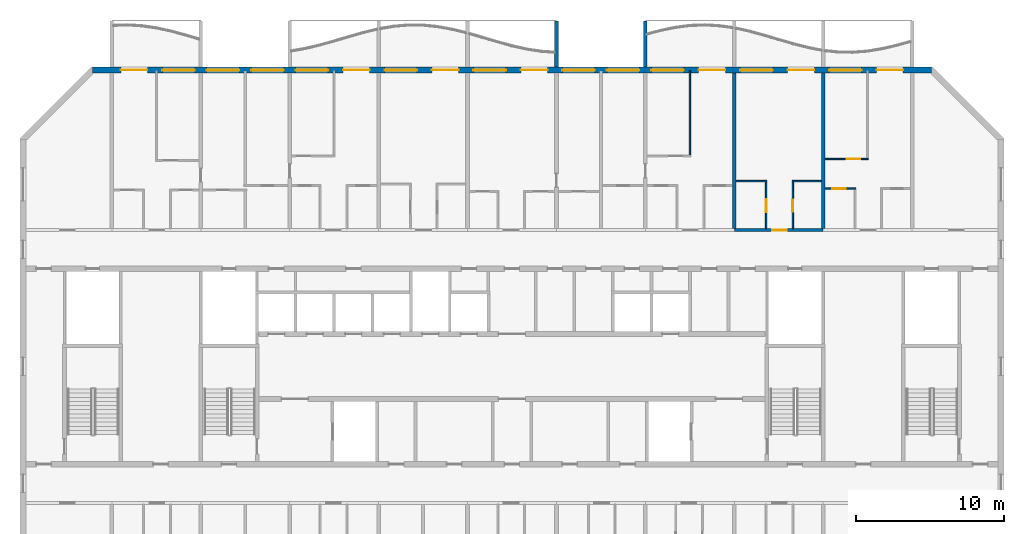
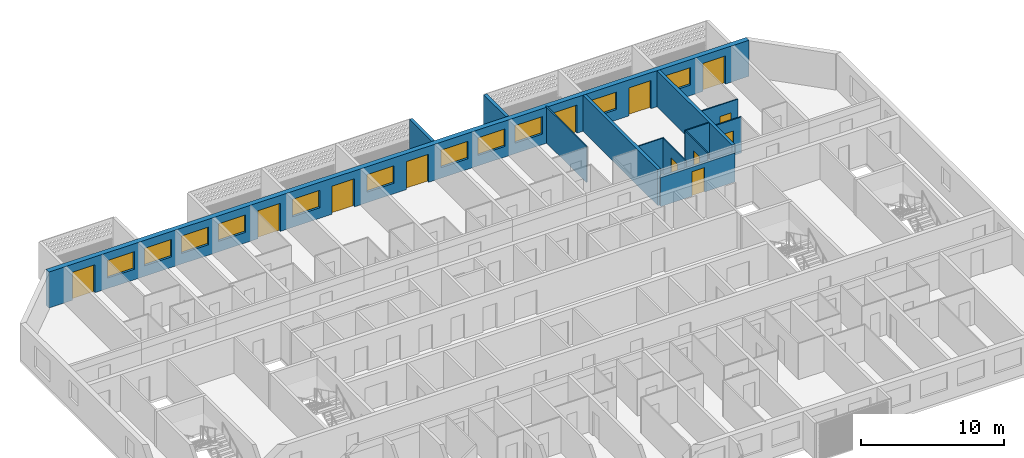
# One storey, part 10 of 29: 13 walls, 12 doors, 11 windows, 23 openings.
"""IFC4 building model written with IfcOpenShell, lengths in metres."""

from ifc_helpers import new_model, si_unit, direction, frame, frame_2d, origin, place, context, subcontext, project, spatial, polyline, rectangle, outline, extrude, source, transform, mapped, material, layer, layer_set, type_object, element, fill, save


model = new_model("IFC4")

# Units and contexts
model_context = context("Model", 3, precision=1e-05, world=origin(), true_north=direction((0.0, 1.0)))
body_context = subcontext(model_context, "Body", "Model", "MODEL_VIEW")
ifc_project = project(units=[si_unit("LENGTHUNIT", "METRE"), si_unit("AREAUNIT", "SQUARE_METRE"), si_unit("VOLUMEUNIT", "CUBIC_METRE"), si_unit("PLANEANGLEUNIT", "RADIAN"), si_unit("MASSUNIT", "GRAM", prefix="KILO")], contexts=[model_context])

# Site, building, storey
site_placement = place(None, origin())
site = spatial("IfcSite", under=ifc_project, at=site_placement, CompositionType="ELEMENT")
building_placement = place(site_placement, origin())
building = spatial("IfcBuilding", under=site, at=building_placement, Name="Poui Terraces", CompositionType="ELEMENT")
storey_placement = place(building_placement, frame((0.0, 0.0, 237.89990234375)))
storey = spatial("IfcBuildingStorey", under=building, at=storey_placement, Name="L66", CompositionType="ELEMENT", Elevation=237.89990234375)

# Wall, opening, door
ifc_material_1 = material(Name="Concrete 50 MPa", Category="concrete")
ifc_layer_1 = layer(ifc_material_1, 0.199951171875)
ifc_layer_set_1 = layer_set([ifc_layer_1], Name="Concrete 50 MPa")
wall_type_1 = type_object("IfcWallType", Name="CORRIDOR WALL 200 50MPa", PredefinedType="SHEAR", material=ifc_layer_set_1)
wall_1_placement = place(storey_placement, frame((66.0, 30.39990234375, 0.0), z_axis=(0.0, 0.0, 1.0), x_axis=(1.0, 0.0, 0.0)))
wall_1 = element("IfcWall", 1, at=wall_1_placement, inside=storey, type_object=wall_type_1, Name="CORRIDOR WALL LINE E BAY 9", PredefinedType="SHEAR", context=body_context, shape_type="SweptSolid", body=[
    extrude(rectangle(XDim=6.0, YDim=0.199951171875, at=frame_2d((3.0, 0.0))), origin(), (0.0, 0.0, 1.0), 2.47998046875),
])
opening_1_placement = place(wall_1_placement, frame((2.550048828125, 0.0, 0.0)))
opening_1 = element("IfcOpeningElement", 2, at=opening_1_placement, cuts=wall_1, Name="Opening FD30S", PredefinedType="OPENING", context=body_context, shape_type="SweptSolid", body=[
    extrude(rectangle(XDim=1.0, YDim=2.10009765625, at=frame_2d((0.5, 1.050048828125))), frame((0.0, 0.10986328125, 0.0), z_axis=(0.0, -1.0, 0.0), x_axis=(1.0, 0.0, 0.0)), (0.0, 0.0, 1.0), 0.219970703125),
])
ifc_material_2 = material(Name="Steel fire door", Category="steel")
door_type_1 = type_object("IfcDoorType", Name="FLAT ENTRANCE DOOR 1000 X 2100", OperationType="NOTDEFINED", PredefinedType="DOOR", material=ifc_material_2)
door_1_placement = place(opening_1_placement, origin())
door_1 = element("IfcDoor", 3, at=door_1_placement, inside=storey, type_object=door_type_1, Name="FLAT ENTRANCE DOOR 056", OperationType="SINGLE_SWING_RIGHT", OverallHeight=2.10009765625, OverallWidth=1.0, PredefinedType="DOOR", context=body_context, shape_type="SweptSolid", body=[
    extrude(rectangle(XDim=1.0, YDim=2.10009765625, at=frame_2d((0.5, 1.050048828125))), frame((0.0, 0.02490234375, 0.0), z_axis=(0.0, -1.0, 0.0), x_axis=(1.0, 0.0, 0.0)), (0.0, 0.0, 1.0), 0.050048828125),
])
fill(opening_1, door_1)

# Walls
ifc_layer_2 = layer(ifc_material_1, 0.25)
ifc_layer_set_2 = layer_set([ifc_layer_2], Name="Concrete 50 MPa")
wall_type_2 = type_object("IfcWallType", Name="CROSS WALL 250 50MPa", PredefinedType="SHEAR", material=ifc_layer_set_2)
for number, where, z_axis, x_axis, name in (
    (4, (66.0, 30.5, 0.0), (0.0, 0.0, 1.0), (0.0, 1.0, 0.0), "CROSS WALL LINE 12 NORTH"),
    (5, (72.0, 30.5, 0.0), (0.0, 0.0, 1.0), (0.0, 1.0, 0.0), "CROSS WALL LINE 13 NORTH"),
):
    element("IfcWall", number, at=place(storey_placement, frame(where, z_axis=z_axis, x_axis=x_axis)), inside=storey, type_object=wall_type_2, Name=name, PredefinedType="SHEAR", context=body_context, shape_type="SweptSolid", body=[
        extrude(rectangle(XDim=10.5, YDim=0.25, at=frame_2d((5.25, 0.0))), origin(), (0.0, 0.0, 1.0), 3.080078125),
    ])

# Wall, openings, doors, windows
ifc_material_3 = material(Name="Precast concrete 40 MPa", Category="concrete")
ifc_layer_3 = layer(ifc_material_3, 0.39990234375)
ifc_layer_set_3 = layer_set([ifc_layer_3], Name="Precast concrete 40 MPa")
wall_type_3 = type_object("IfcWallType", Name="EXTERNAL WALL 400", PredefinedType="STANDARD", material=ifc_layer_set_3)
wall_2_placement = place(storey_placement, frame((79.317138671875, 41.199951171875, 0.0), z_axis=(0.0, 0.0, 1.0), x_axis=(-1.0, 0.0, 0.0)))
wall_2 = element("IfcWall", 6, at=wall_2_placement, inside=storey, type_object=wall_type_3, Name="EXTERNAL WALL N", PredefinedType="STANDARD", context=body_context, shape_type="SweptSolid", body=[
    extrude(rectangle(XDim=56.63427734375, YDim=0.39990234375, at=frame_2d((28.317138671875, 0.0))), origin(), (0.0, 0.0, 1.0), 3.080078125),
])
opening_2_placement = place(wall_2_placement, frame((52.917236328125, 0.0, 0.0)))
opening_2 = element("IfcOpeningElement", 7, at=opening_2_placement, cuts=wall_2, Name="Opening BD1", PredefinedType="OPENING", context=body_context, shape_type="SweptSolid", body=[
    extrude(rectangle(XDim=1.800048828125, YDim=2.39990234375, at=frame_2d((0.89990234375, 1.199951171875))), frame((0.0, 0.2099609375, 0.0), z_axis=(0.0, -1.0, 0.0), x_axis=(1.0, 0.0, 0.0)), (0.0, 0.0, 1.0), 0.419921875),
])
opening_3_placement = place(wall_2_placement, frame((49.71728515625, 0.0, 0.89990234375)))
opening_3 = element("IfcOpeningElement", 8, at=opening_3_placement, cuts=wall_2, Name="Opening W1", PredefinedType="OPENING", context=body_context, shape_type="SweptSolid", body=[
    extrude(rectangle(XDim=2.199951171875, YDim=1.5, at=frame_2d((1.10009765625, 0.75))), frame((0.0, 0.2099609375, 0.0), z_axis=(0.0, -1.0, 0.0), x_axis=(1.0, 0.0, 0.0)), (0.0, 0.0, 1.0), 0.419921875),
])
opening_4_placement = place(wall_2_placement, frame((46.71728515625, 0.0, 0.89990234375)))
opening_4 = element("IfcOpeningElement", 9, at=opening_4_placement, cuts=wall_2, Name="Opening W1", PredefinedType="OPENING", context=body_context, shape_type="SweptSolid", body=[
    extrude(rectangle(XDim=2.199951171875, YDim=1.5, at=frame_2d((1.10009765625, 0.75))), frame((0.0, 0.2099609375, 0.0), z_axis=(0.0, -1.0, 0.0), x_axis=(1.0, 0.0, 0.0)), (0.0, 0.0, 1.0), 0.419921875),
])
opening_5_placement = place(wall_2_placement, frame((43.71728515625, 0.0, 0.89990234375)))
opening_5 = element("IfcOpeningElement", 10, at=opening_5_placement, cuts=wall_2, Name="Opening W1", PredefinedType="OPENING", context=body_context, shape_type="SweptSolid", body=[
    extrude(rectangle(XDim=2.199951171875, YDim=1.5, at=frame_2d((1.10009765625, 0.75))), frame((0.0, 0.2099609375, 0.0), z_axis=(0.0, -1.0, 0.0), x_axis=(1.0, 0.0, 0.0)), (0.0, 0.0, 1.0), 0.419921875),
])
opening_6_placement = place(wall_2_placement, frame((40.71728515625, 0.0, 0.89990234375)))
opening_6 = element("IfcOpeningElement", 11, at=opening_6_placement, cuts=wall_2, Name="Opening W1", PredefinedType="OPENING", context=body_context, shape_type="SweptSolid", body=[
    extrude(rectangle(XDim=2.199951171875, YDim=1.5, at=frame_2d((1.10009765625, 0.75))), frame((0.0, 0.2099609375, 0.0), z_axis=(0.0, -1.0, 0.0), x_axis=(1.0, 0.0, 0.0)), (0.0, 0.0, 1.0), 0.419921875),
])
opening_7_placement = place(wall_2_placement, frame((37.917236328125, 0.0, 0.0)))
opening_7 = element("IfcOpeningElement", 12, at=opening_7_placement, cuts=wall_2, Name="Opening BD1", PredefinedType="OPENING", context=body_context, shape_type="SweptSolid", body=[
    extrude(rectangle(XDim=1.800048828125, YDim=2.39990234375, at=frame_2d((0.89990234375, 1.199951171875))), frame((0.0, 0.2099609375, 0.0), z_axis=(0.0, -1.0, 0.0), x_axis=(1.0, 0.0, 0.0)), (0.0, 0.0, 1.0), 0.419921875),
])
opening_8_placement = place(wall_2_placement, frame((34.71728515625, 0.0, 0.89990234375)))
opening_8 = element("IfcOpeningElement", 13, at=opening_8_placement, cuts=wall_2, Name="Opening W1", PredefinedType="OPENING", context=body_context, shape_type="SweptSolid", body=[
    extrude(rectangle(XDim=2.199951171875, YDim=1.5, at=frame_2d((1.10009765625, 0.75))), frame((0.0, 0.2099609375, 0.0), z_axis=(0.0, -1.0, 0.0), x_axis=(1.0, 0.0, 0.0)), (0.0, 0.0, 1.0), 0.419921875),
])
opening_9_placement = place(wall_2_placement, frame((31.917236328125, 0.0, 0.0)))
opening_9 = element("IfcOpeningElement", 14, at=opening_9_placement, cuts=wall_2, Name="Opening BD1", PredefinedType="OPENING", context=body_context, shape_type="SweptSolid", body=[
    extrude(rectangle(XDim=1.800048828125, YDim=2.39990234375, at=frame_2d((0.89990234375, 1.199951171875))), frame((0.0, 0.2099609375, 0.0), z_axis=(0.0, -1.0, 0.0), x_axis=(1.0, 0.0, 0.0)), (0.0, 0.0, 1.0), 0.419921875),
])
opening_10_placement = place(wall_2_placement, frame((28.71728515625, 0.0, 0.89990234375)))
opening_10 = element("IfcOpeningElement", 15, at=opening_10_placement, cuts=wall_2, Name="Opening W1", PredefinedType="OPENING", context=body_context, shape_type="SweptSolid", body=[
    extrude(rectangle(XDim=2.199951171875, YDim=1.5, at=frame_2d((1.10009765625, 0.75))), frame((0.0, 0.2099609375, 0.0), z_axis=(0.0, -1.0, 0.0), x_axis=(1.0, 0.0, 0.0)), (0.0, 0.0, 1.0), 0.419921875),
])
opening_11_placement = place(wall_2_placement, frame((25.917236328125, 0.0, 0.0)))
opening_11 = element("IfcOpeningElement", 16, at=opening_11_placement, cuts=wall_2, Name="Opening BD1", PredefinedType="OPENING", context=body_context, shape_type="SweptSolid", body=[
    extrude(rectangle(XDim=1.800048828125, YDim=2.39990234375, at=frame_2d((0.89990234375, 1.199951171875))), frame((0.0, 0.2099609375, 0.0), z_axis=(0.0, -1.0, 0.0), x_axis=(1.0, 0.0, 0.0)), (0.0, 0.0, 1.0), 0.419921875),
])
opening_12_placement = place(wall_2_placement, frame((22.71728515625, 0.0, 0.89990234375)))
opening_12 = element("IfcOpeningElement", 17, at=opening_12_placement, cuts=wall_2, Name="Opening W1", PredefinedType="OPENING", context=body_context, shape_type="SweptSolid", body=[
    extrude(rectangle(XDim=2.199951171875, YDim=1.5, at=frame_2d((1.10009765625, 0.75))), frame((0.0, 0.2099609375, 0.0), z_axis=(0.0, -1.0, 0.0), x_axis=(1.0, 0.0, 0.0)), (0.0, 0.0, 1.0), 0.419921875),
])
opening_13_placement = place(wall_2_placement, frame((19.71728515625, 0.0, 0.89990234375)))
opening_13 = element("IfcOpeningElement", 18, at=opening_13_placement, cuts=wall_2, Name="Opening W1", PredefinedType="OPENING", context=body_context, shape_type="SweptSolid", body=[
    extrude(rectangle(XDim=2.199951171875, YDim=1.5, at=frame_2d((1.10009765625, 0.75))), frame((0.0, 0.2099609375, 0.0), z_axis=(0.0, -1.0, 0.0), x_axis=(1.0, 0.0, 0.0)), (0.0, 0.0, 1.0), 0.419921875),
])
opening_14_placement = place(wall_2_placement, frame((16.71728515625, 0.0, 0.89990234375)))
opening_14 = element("IfcOpeningElement", 19, at=opening_14_placement, cuts=wall_2, Name="Opening W1", PredefinedType="OPENING", context=body_context, shape_type="SweptSolid", body=[
    extrude(rectangle(XDim=2.199951171875, YDim=1.5, at=frame_2d((1.10009765625, 0.75))), frame((0.0, 0.2099609375, 0.0), z_axis=(0.0, -1.0, 0.0), x_axis=(1.0, 0.0, 0.0)), (0.0, 0.0, 1.0), 0.419921875),
])
opening_15_placement = place(wall_2_placement, frame((13.917236328125, 0.0, 0.0)))
opening_15 = element("IfcOpeningElement", 20, at=opening_15_placement, cuts=wall_2, Name="Opening BD1", PredefinedType="OPENING", context=body_context, shape_type="SweptSolid", body=[
    extrude(rectangle(XDim=1.800048828125, YDim=2.39990234375, at=frame_2d((0.89990234375, 1.199951171875))), frame((0.0, 0.2099609375, 0.0), z_axis=(0.0, -1.0, 0.0), x_axis=(1.0, 0.0, 0.0)), (0.0, 0.0, 1.0), 0.419921875),
])
opening_16_placement = place(wall_2_placement, frame((10.71728515625, 0.0, 0.89990234375)))
opening_16 = element("IfcOpeningElement", 21, at=opening_16_placement, cuts=wall_2, Name="Opening W1", PredefinedType="OPENING", context=body_context, shape_type="SweptSolid", body=[
    extrude(rectangle(XDim=2.199951171875, YDim=1.5, at=frame_2d((1.10009765625, 0.75))), frame((0.0, 0.2099609375, 0.0), z_axis=(0.0, -1.0, 0.0), x_axis=(1.0, 0.0, 0.0)), (0.0, 0.0, 1.0), 0.419921875),
])
opening_17_placement = place(wall_2_placement, frame((7.917236328125, 0.0, 0.0)))
opening_17 = element("IfcOpeningElement", 22, at=opening_17_placement, cuts=wall_2, Name="Opening BD1", PredefinedType="OPENING", context=body_context, shape_type="SweptSolid", body=[
    extrude(rectangle(XDim=1.800048828125, YDim=2.39990234375, at=frame_2d((0.89990234375, 1.199951171875))), frame((0.0, 0.2099609375, 0.0), z_axis=(0.0, -1.0, 0.0), x_axis=(1.0, 0.0, 0.0)), (0.0, 0.0, 1.0), 0.419921875),
])
opening_18_placement = place(wall_2_placement, frame((4.71728515625, 0.0, 0.89990234375)))
opening_18 = element("IfcOpeningElement", 23, at=opening_18_placement, cuts=wall_2, Name="Opening W1", PredefinedType="OPENING", context=body_context, shape_type="SweptSolid", body=[
    extrude(rectangle(XDim=2.199951171875, YDim=1.5, at=frame_2d((1.10009765625, 0.75))), frame((0.0, 0.2099609375, 0.0), z_axis=(0.0, -1.0, 0.0), x_axis=(1.0, 0.0, 0.0)), (0.0, 0.0, 1.0), 0.419921875),
])
opening_19_placement = place(wall_2_placement, frame((1.917236328125, 0.0, 0.0)))
opening_19 = element("IfcOpeningElement", 24, at=opening_19_placement, cuts=wall_2, Name="Opening BD1", PredefinedType="OPENING", context=body_context, shape_type="SweptSolid", body=[
    extrude(rectangle(XDim=1.800048828125, YDim=2.39990234375, at=frame_2d((0.89990234375, 1.199951171875))), frame((0.0, 0.2099609375, 0.0), z_axis=(0.0, -1.0, 0.0), x_axis=(1.0, 0.0, 0.0)), (0.0, 0.0, 1.0), 0.419921875),
])
ifc_material_4 = material(Name="Clear glass in aluminium frame", Category="aluminium")
door_type_2 = type_object("IfcDoorType", Name="BALCONY DOOR 1800X2400", OperationType="DOUBLE_DOOR_SLIDING", PredefinedType="DOOR", material=ifc_material_4)
door_2_placement = place(opening_2_placement, origin())
door_2 = element("IfcDoor", 25, at=door_2_placement, inside=storey, type_object=door_type_2, Name="BD1 BALCONY DOOR", OperationType="DOUBLE_DOOR_SLIDING", OverallHeight=2.39990234375, OverallWidth=1.800048828125, PredefinedType="DOOR", context=body_context, shape_type="SweptSolid", body=[
    extrude(rectangle(XDim=1.800048828125, YDim=2.39990234375, at=frame_2d((0.89990234375, 1.199951171875))), frame((0.0, 0.02490234375, 0.0), z_axis=(0.0, -1.0, 0.0), x_axis=(1.0, 0.0, 0.0)), (0.0, 0.0, 1.0), 0.050048828125),
])
fill(opening_2, door_2)
door_3_placement = place(opening_7_placement, origin())
door_3 = element("IfcDoor", 26, at=door_3_placement, inside=storey, type_object=door_type_2, Name="BD1 BALCONY DOOR", OperationType="DOUBLE_DOOR_SLIDING", OverallHeight=2.39990234375, OverallWidth=1.800048828125, PredefinedType="DOOR", context=body_context, shape_type="SweptSolid", body=[
    extrude(rectangle(XDim=1.800048828125, YDim=2.39990234375, at=frame_2d((0.89990234375, 1.199951171875))), frame((0.0, 0.02490234375, 0.0), z_axis=(0.0, -1.0, 0.0), x_axis=(1.0, 0.0, 0.0)), (0.0, 0.0, 1.0), 0.050048828125),
])
fill(opening_7, door_3)
door_4_placement = place(opening_9_placement, origin())
door_4 = element("IfcDoor", 27, at=door_4_placement, inside=storey, type_object=door_type_2, Name="BD1 BALCONY DOOR", OperationType="DOUBLE_DOOR_SLIDING", OverallHeight=2.39990234375, OverallWidth=1.800048828125, PredefinedType="DOOR", context=body_context, shape_type="SweptSolid", body=[
    extrude(rectangle(XDim=1.800048828125, YDim=2.39990234375, at=frame_2d((0.89990234375, 1.199951171875))), frame((0.0, 0.02490234375, 0.0), z_axis=(0.0, -1.0, 0.0), x_axis=(1.0, 0.0, 0.0)), (0.0, 0.0, 1.0), 0.050048828125),
])
fill(opening_9, door_4)
door_5_placement = place(opening_11_placement, origin())
door_5 = element("IfcDoor", 28, at=door_5_placement, inside=storey, type_object=door_type_2, Name="BD1 BALCONY DOOR", OperationType="DOUBLE_DOOR_SLIDING", OverallHeight=2.39990234375, OverallWidth=1.800048828125, PredefinedType="DOOR", context=body_context, shape_type="SweptSolid", body=[
    extrude(rectangle(XDim=1.800048828125, YDim=2.39990234375, at=frame_2d((0.89990234375, 1.199951171875))), frame((0.0, 0.02490234375, 0.0), z_axis=(0.0, -1.0, 0.0), x_axis=(1.0, 0.0, 0.0)), (0.0, 0.0, 1.0), 0.050048828125),
])
fill(opening_11, door_5)
door_6_placement = place(opening_15_placement, origin())
door_6 = element("IfcDoor", 29, at=door_6_placement, inside=storey, type_object=door_type_2, Name="BD1 BALCONY DOOR", OperationType="DOUBLE_DOOR_SLIDING", OverallHeight=2.39990234375, OverallWidth=1.800048828125, PredefinedType="DOOR", context=body_context, shape_type="SweptSolid", body=[
    extrude(rectangle(XDim=1.800048828125, YDim=2.39990234375, at=frame_2d((0.89990234375, 1.199951171875))), frame((0.0, 0.02490234375, 0.0), z_axis=(0.0, -1.0, 0.0), x_axis=(1.0, 0.0, 0.0)), (0.0, 0.0, 1.0), 0.050048828125),
])
fill(opening_15, door_6)
door_7_placement = place(opening_17_placement, origin())
door_7 = element("IfcDoor", 30, at=door_7_placement, inside=storey, type_object=door_type_2, Name="BD1 BALCONY DOOR", OperationType="DOUBLE_DOOR_SLIDING", OverallHeight=2.39990234375, OverallWidth=1.800048828125, PredefinedType="DOOR", context=body_context, shape_type="SweptSolid", body=[
    extrude(rectangle(XDim=1.800048828125, YDim=2.39990234375, at=frame_2d((0.89990234375, 1.199951171875))), frame((0.0, 0.02490234375, 0.0), z_axis=(0.0, -1.0, 0.0), x_axis=(1.0, 0.0, 0.0)), (0.0, 0.0, 1.0), 0.050048828125),
])
fill(opening_17, door_7)
door_8_placement = place(opening_19_placement, origin())
door_8 = element("IfcDoor", 31, at=door_8_placement, inside=storey, type_object=door_type_2, Name="BD1 BALCONY DOOR", OperationType="DOUBLE_DOOR_SLIDING", OverallHeight=2.39990234375, OverallWidth=1.800048828125, PredefinedType="DOOR", context=body_context, shape_type="SweptSolid", body=[
    extrude(rectangle(XDim=1.800048828125, YDim=2.39990234375, at=frame_2d((0.89990234375, 1.199951171875))), frame((0.0, 0.02490234375, 0.0), z_axis=(0.0, -1.0, 0.0), x_axis=(1.0, 0.0, 0.0)), (0.0, 0.0, 1.0), 0.050048828125),
])
fill(opening_19, door_8)
window_type = type_object("IfcWindowType", Name="WINDOW 2200X1500", PartitioningType="DOUBLE_PANEL_HORIZONTAL", PredefinedType="WINDOW", material=ifc_material_4)
window_1_placement = place(opening_3_placement, origin())
window_1 = element("IfcWindow", 32, at=window_1_placement, inside=storey, type_object=window_type, Name="W1 WINDOW", OverallHeight=1.5, OverallWidth=2.199951171875, PartitioningType="DOUBLE_PANEL_HORIZONTAL", PredefinedType="WINDOW", context=body_context, shape_type="SweptSolid", body=[
    extrude(rectangle(XDim=2.199951171875, YDim=1.5, at=frame_2d((1.10009765625, 0.75))), frame((0.0, 0.030029296875, 0.0), z_axis=(0.0, -1.0, 0.0), x_axis=(1.0, 0.0, 0.0)), (0.0, 0.0, 1.0), 0.06005859375),
])
fill(opening_3, window_1)
window_2_placement = place(opening_4_placement, origin())
window_2 = element("IfcWindow", 33, at=window_2_placement, inside=storey, type_object=window_type, Name="W1 WINDOW", OverallHeight=1.5, OverallWidth=2.199951171875, PartitioningType="DOUBLE_PANEL_HORIZONTAL", PredefinedType="WINDOW", context=body_context, shape_type="SweptSolid", body=[
    extrude(rectangle(XDim=2.199951171875, YDim=1.5, at=frame_2d((1.10009765625, 0.75))), frame((0.0, 0.030029296875, 0.0), z_axis=(0.0, -1.0, 0.0), x_axis=(1.0, 0.0, 0.0)), (0.0, 0.0, 1.0), 0.06005859375),
])
fill(opening_4, window_2)
window_3_placement = place(opening_5_placement, origin())
window_3 = element("IfcWindow", 34, at=window_3_placement, inside=storey, type_object=window_type, Name="W1 WINDOW", OverallHeight=1.5, OverallWidth=2.199951171875, PartitioningType="DOUBLE_PANEL_HORIZONTAL", PredefinedType="WINDOW", context=body_context, shape_type="SweptSolid", body=[
    extrude(rectangle(XDim=2.199951171875, YDim=1.5, at=frame_2d((1.10009765625, 0.75))), frame((0.0, 0.030029296875, 0.0), z_axis=(0.0, -1.0, 0.0), x_axis=(1.0, 0.0, 0.0)), (0.0, 0.0, 1.0), 0.06005859375),
])
fill(opening_5, window_3)
window_4_placement = place(opening_6_placement, origin())
window_4 = element("IfcWindow", 35, at=window_4_placement, inside=storey, type_object=window_type, Name="W1 WINDOW", OverallHeight=1.5, OverallWidth=2.199951171875, PartitioningType="DOUBLE_PANEL_HORIZONTAL", PredefinedType="WINDOW", context=body_context, shape_type="SweptSolid", body=[
    extrude(rectangle(XDim=2.199951171875, YDim=1.5, at=frame_2d((1.10009765625, 0.75))), frame((0.0, 0.030029296875, 0.0), z_axis=(0.0, -1.0, 0.0), x_axis=(1.0, 0.0, 0.0)), (0.0, 0.0, 1.0), 0.06005859375),
])
fill(opening_6, window_4)
window_5_placement = place(opening_8_placement, origin())
window_5 = element("IfcWindow", 36, at=window_5_placement, inside=storey, type_object=window_type, Name="W1 WINDOW", OverallHeight=1.5, OverallWidth=2.199951171875, PartitioningType="DOUBLE_PANEL_HORIZONTAL", PredefinedType="WINDOW", context=body_context, shape_type="SweptSolid", body=[
    extrude(rectangle(XDim=2.199951171875, YDim=1.5, at=frame_2d((1.10009765625, 0.75))), frame((0.0, 0.030029296875, 0.0), z_axis=(0.0, -1.0, 0.0), x_axis=(1.0, 0.0, 0.0)), (0.0, 0.0, 1.0), 0.06005859375),
])
fill(opening_8, window_5)
window_6_placement = place(opening_10_placement, origin())
window_6 = element("IfcWindow", 37, at=window_6_placement, inside=storey, type_object=window_type, Name="W1 WINDOW", OverallHeight=1.5, OverallWidth=2.199951171875, PartitioningType="DOUBLE_PANEL_HORIZONTAL", PredefinedType="WINDOW", context=body_context, shape_type="SweptSolid", body=[
    extrude(rectangle(XDim=2.199951171875, YDim=1.5, at=frame_2d((1.10009765625, 0.75))), frame((0.0, 0.030029296875, 0.0), z_axis=(0.0, -1.0, 0.0), x_axis=(1.0, 0.0, 0.0)), (0.0, 0.0, 1.0), 0.06005859375),
])
fill(opening_10, window_6)
window_7_placement = place(opening_12_placement, origin())
window_7 = element("IfcWindow", 38, at=window_7_placement, inside=storey, type_object=window_type, Name="W1 WINDOW", OverallHeight=1.5, OverallWidth=2.199951171875, PartitioningType="DOUBLE_PANEL_HORIZONTAL", PredefinedType="WINDOW", context=body_context, shape_type="SweptSolid", body=[
    extrude(rectangle(XDim=2.199951171875, YDim=1.5, at=frame_2d((1.10009765625, 0.75))), frame((0.0, 0.030029296875, 0.0), z_axis=(0.0, -1.0, 0.0), x_axis=(1.0, 0.0, 0.0)), (0.0, 0.0, 1.0), 0.06005859375),
])
fill(opening_12, window_7)
window_8_placement = place(opening_13_placement, origin())
window_8 = element("IfcWindow", 39, at=window_8_placement, inside=storey, type_object=window_type, Name="W1 WINDOW", OverallHeight=1.5, OverallWidth=2.199951171875, PartitioningType="DOUBLE_PANEL_HORIZONTAL", PredefinedType="WINDOW", context=body_context, shape_type="SweptSolid", body=[
    extrude(rectangle(XDim=2.199951171875, YDim=1.5, at=frame_2d((1.10009765625, 0.75))), frame((0.0, 0.030029296875, 0.0), z_axis=(0.0, -1.0, 0.0), x_axis=(1.0, 0.0, 0.0)), (0.0, 0.0, 1.0), 0.06005859375),
])
fill(opening_13, window_8)
window_9_placement = place(opening_14_placement, origin())
window_9 = element("IfcWindow", 40, at=window_9_placement, inside=storey, type_object=window_type, Name="W1 WINDOW", OverallHeight=1.5, OverallWidth=2.199951171875, PartitioningType="DOUBLE_PANEL_HORIZONTAL", PredefinedType="WINDOW", context=body_context, shape_type="SweptSolid", body=[
    extrude(rectangle(XDim=2.199951171875, YDim=1.5, at=frame_2d((1.10009765625, 0.75))), frame((0.0, 0.030029296875, 0.0), z_axis=(0.0, -1.0, 0.0), x_axis=(1.0, 0.0, 0.0)), (0.0, 0.0, 1.0), 0.06005859375),
])
fill(opening_14, window_9)
window_10_placement = place(opening_16_placement, origin())
window_10 = element("IfcWindow", 41, at=window_10_placement, inside=storey, type_object=window_type, Name="W1 WINDOW", OverallHeight=1.5, OverallWidth=2.199951171875, PartitioningType="DOUBLE_PANEL_HORIZONTAL", PredefinedType="WINDOW", context=body_context, shape_type="SweptSolid", body=[
    extrude(rectangle(XDim=2.199951171875, YDim=1.5, at=frame_2d((1.10009765625, 0.75))), frame((0.0, 0.030029296875, 0.0), z_axis=(0.0, -1.0, 0.0), x_axis=(1.0, 0.0, 0.0)), (0.0, 0.0, 1.0), 0.06005859375),
])
fill(opening_16, window_10)
window_11_placement = place(opening_18_placement, origin())
window_11 = element("IfcWindow", 42, at=window_11_placement, inside=storey, type_object=window_type, Name="W1 WINDOW", OverallHeight=1.5, OverallWidth=2.199951171875, PartitioningType="DOUBLE_PANEL_HORIZONTAL", PredefinedType="WINDOW", context=body_context, shape_type="SweptSolid", body=[
    extrude(rectangle(XDim=2.199951171875, YDim=1.5, at=frame_2d((1.10009765625, 0.75))), frame((0.0, 0.030029296875, 0.0), z_axis=(0.0, -1.0, 0.0), x_axis=(1.0, 0.0, 0.0)), (0.0, 0.0, 1.0), 0.06005859375),
])
fill(opening_18, window_11)

# Wall, opening, door
ifc_material_5 = material(Name="Plasterboard partition")
ifc_layer_4 = layer(ifc_material_5, 0.10009765625)
ifc_layer_set_4 = layer_set([ifc_layer_4], Name="Plasterboard partition")
wall_type_4 = type_object("IfcWallType", Name="FLAT PARTITION 100", PredefinedType="PARTITIONING", material=ifc_layer_set_4)
wall_3_placement = place(storey_placement, frame((72.135009765625, 33.199951171875, 0.0), z_axis=(0.0, 0.0, 1.0), x_axis=(1.0, 0.0, 0.0)))
wall_3 = element("IfcWall", 43, at=wall_3_placement, inside=storey, type_object=wall_type_4, Name="FLAT PARTITION 100", PredefinedType="PARTITIONING", context=body_context, shape_type="SweptSolid", body=[
    extrude(rectangle(XDim=2.06494140625, YDim=0.10009765625, at=frame_2d((1.032470703125, 0.0))), origin(), (0.0, 0.0, 1.0), 3.080078125),
])
opening_20_placement = place(wall_3_placement, frame((0.489990234375, 0.0, 0.0)))
opening_20 = element("IfcOpeningElement", 44, at=opening_20_placement, cuts=wall_3, Name="Opening D90", PredefinedType="OPENING", context=body_context, shape_type="SweptSolid", body=[
    extrude(rectangle(XDim=0.89990234375, YDim=2.10009765625, at=frame_2d((0.449951171875, 1.050048828125))), frame((0.0, 0.06005859375, 0.0), z_axis=(0.0, -1.0, 0.0), x_axis=(1.0, 0.0, 0.0)), (0.0, 0.0, 1.0), 0.1201171875),
])
ifc_material_6 = material(Name="Solid core timber door", Category="wood")
door_type_3 = type_object("IfcDoorType", Name="INTERNAL DOOR 900 X 2100", OperationType="NOTDEFINED", PredefinedType="DOOR", material=ifc_material_6)
door_9_placement = place(opening_20_placement, frame((0.89990234375, 0.0, 0.0), z_axis=(0.0, 0.0, 1.0), x_axis=(-1.0, 0.0, 0.0)))
door_9 = element("IfcDoor", 45, at=door_9_placement, inside=storey, type_object=door_type_3, Name="INTERNAL DOOR 058", OperationType="SINGLE_SWING_LEFT", OverallHeight=2.10009765625, OverallWidth=0.89990234375, PredefinedType="DOOR", context=body_context, shape_type="SweptSolid", body=[
    extrude(rectangle(XDim=0.89990234375, YDim=2.10009765625, at=frame_2d((0.449951171875, 1.050048828125))), frame((0.0, 0.02490234375, 0.0), z_axis=(0.0, -1.0, 0.0), x_axis=(1.0, 0.0, 0.0)), (0.0, 0.0, 1.0), 0.050048828125),
])
fill(opening_20, door_9)

# Walls
wall_4_placement = place(storey_placement, frame((66.135009765625, 33.699951171875, 0.0), z_axis=(0.0, 0.0, 1.0), x_axis=(1.0, 0.0, 0.0)))
element("IfcWall", 46, at=wall_4_placement, inside=storey, type_object=wall_type_4, Name="FLAT PARTITION 100", PredefinedType="PARTITIONING", context=body_context, shape_type="SweptSolid", body=[
    extrude(rectangle(XDim=2.06494140625, YDim=0.10009765625, at=frame_2d((1.032470703125, 0.0))), origin(), (0.0, 0.0, 1.0), 3.080078125),
])
wall_5_placement = place(storey_placement, frame((69.89990234375, 33.699951171875, 0.0), z_axis=(0.0, 0.0, 1.0), x_axis=(1.0, 0.0, 0.0)))
element("IfcWall", 47, at=wall_5_placement, inside=storey, type_object=wall_type_4, Name="FLAT PARTITION 100", PredefinedType="PARTITIONING", context=body_context, shape_type="SweptSolid", body=[
    extrude(rectangle(XDim=1.965087890625, YDim=0.10009765625, at=frame_2d((0.982421875, 0.0))), origin(), (0.0, 0.0, 1.0), 3.080078125),
])

# Wall, opening, door
wall_6_placement = place(storey_placement, frame((72.135009765625, 35.199951171875, 0.0), z_axis=(0.0, 0.0, 1.0), x_axis=(1.0, 0.0, 0.0)))
wall_6 = element("IfcWall", 48, at=wall_6_placement, inside=storey, type_object=wall_type_4, Name="FLAT PARTITION 100", PredefinedType="PARTITIONING", context=body_context, shape_type="SweptSolid", body=[
    extrude(rectangle(XDim=2.9150390625, YDim=0.10009765625, at=frame_2d((1.45751953125, 0.0))), origin(), (0.0, 0.0, 1.0), 3.080078125),
])
opening_21_placement = place(wall_6_placement, frame((1.465087890625, 0.0, 0.0)))
opening_21 = element("IfcOpeningElement", 49, at=opening_21_placement, cuts=wall_6, Name="Opening D90", PredefinedType="OPENING", context=body_context, shape_type="SweptSolid", body=[
    extrude(rectangle(XDim=0.89990234375, YDim=2.10009765625, at=frame_2d((0.449951171875, 1.050048828125))), frame((0.0, 0.06005859375, 0.0), z_axis=(0.0, -1.0, 0.0), x_axis=(1.0, 0.0, 0.0)), (0.0, 0.0, 1.0), 0.1201171875),
])
door_10_placement = place(opening_21_placement, frame((0.89990234375, 0.0, 0.0), z_axis=(0.0, 0.0, 1.0), x_axis=(-1.0, 0.0, 0.0)))
door_10 = element("IfcDoor", 50, at=door_10_placement, inside=storey, type_object=door_type_3, Name="INTERNAL DOOR 059", OperationType="SINGLE_SWING_RIGHT", OverallHeight=2.10009765625, OverallWidth=0.89990234375, PredefinedType="DOOR", context=body_context, shape_type="SweptSolid", body=[
    extrude(rectangle(XDim=0.89990234375, YDim=2.10009765625, at=frame_2d((0.449951171875, 1.050048828125))), frame((0.0, 0.02490234375, 0.0), z_axis=(0.0, -1.0, 0.0), x_axis=(1.0, 0.0, 0.0)), (0.0, 0.0, 1.0), 0.050048828125),
])
fill(opening_21, door_10)

# Wall
wall_7_placement = place(storey_placement, frame((63.0, 35.449951171875, 0.0), z_axis=(0.0, 0.0, 1.0), x_axis=(0.0, 1.0, 0.0)))
element("IfcWall", 51, at=wall_7_placement, inside=storey, type_object=wall_type_4, Name="FLAT PARTITION 100", PredefinedType="PARTITIONING", context=body_context, shape_type="SweptSolid", body=[
    extrude(rectangle(XDim=5.68994140625, YDim=0.10009765625, at=frame_2d((2.844970703125, 0.0))), origin(), (0.0, 0.0, 1.0), 3.080078125),
])

# Wall, opening, door
wall_8_placement = place(storey_placement, frame((68.14990234375, 30.510009765625, 0.0), z_axis=(0.0, 0.0, 1.0), x_axis=(0.0, 1.0, 0.0)))
wall_8 = element("IfcWall", 52, at=wall_8_placement, inside=storey, type_object=wall_type_4, Name="FLAT PARTITION 100", PredefinedType="PARTITIONING", context=body_context, shape_type="SweptSolid", body=[
    extrude(rectangle(XDim=3.139892578125, YDim=0.10009765625, at=frame_2d((1.56982421875, 0.0))), origin(), (0.0, 0.0, 1.0), 3.080078125),
])
opening_22_placement = place(wall_8_placement, frame((1.090087890625, 0.0, 0.0)))
opening_22 = element("IfcOpeningElement", 53, at=opening_22_placement, cuts=wall_8, Name="Opening D90", PredefinedType="OPENING", context=body_context, shape_type="SweptSolid", body=[
    extrude(rectangle(XDim=0.89990234375, YDim=2.10009765625, at=frame_2d((0.449951171875, 1.050048828125))), frame((0.0, 0.06005859375, 0.0), z_axis=(0.0, -1.0, 0.0), x_axis=(1.0, 0.0, 0.0)), (0.0, 0.0, 1.0), 0.1201171875),
])
door_11_placement = place(opening_22_placement, origin())
door_11 = element("IfcDoor", 54, at=door_11_placement, inside=storey, type_object=door_type_3, Name="INTERNAL DOOR 055", OperationType="SINGLE_SWING_RIGHT", OverallHeight=2.10009765625, OverallWidth=0.89990234375, PredefinedType="DOOR", context=body_context, shape_type="SweptSolid", body=[
    extrude(rectangle(XDim=0.89990234375, YDim=2.10009765625, at=frame_2d((0.449951171875, 1.050048828125))), frame((0.0, 0.02490234375, 0.0), z_axis=(0.0, -1.0, 0.0), x_axis=(1.0, 0.0, 0.0)), (0.0, 0.0, 1.0), 0.050048828125),
])
fill(opening_22, door_11)

wall_9_placement = place(storey_placement, frame((69.949951171875, 30.510009765625, 0.0), z_axis=(0.0, 0.0, 1.0), x_axis=(0.0, 1.0, 0.0)))
wall_9 = element("IfcWall", 55, at=wall_9_placement, inside=storey, type_object=wall_type_4, Name="FLAT PARTITION 100", PredefinedType="PARTITIONING", context=body_context, shape_type="SweptSolid", body=[
    extrude(rectangle(XDim=3.139892578125, YDim=0.10009765625, at=frame_2d((1.56982421875, 0.0))), origin(), (0.0, 0.0, 1.0), 3.080078125),
])
opening_23_placement = place(wall_9_placement, frame((1.139892578125, 0.0, 0.0)))
opening_23 = element("IfcOpeningElement", 56, at=opening_23_placement, cuts=wall_9, Name="Opening D80", PredefinedType="OPENING", context=body_context, shape_type="SweptSolid", body=[
    extrude(rectangle(XDim=0.800048828125, YDim=2.10009765625, at=frame_2d((0.39990234375, 1.050048828125))), frame((0.0, 0.06005859375, 0.0), z_axis=(0.0, -1.0, 0.0), x_axis=(1.0, 0.0, 0.0)), (0.0, 0.0, 1.0), 0.1201171875),
])
door_type_4 = type_object("IfcDoorType", Name="BATHROOM, LAUNDRY AND STORE DOOR 800 X 2100", OperationType="NOTDEFINED", PredefinedType="DOOR", material=ifc_material_6)
door_12_placement = place(opening_23_placement, frame((0.800048828125, 0.0, 0.0), z_axis=(0.0, 0.0, 1.0), x_axis=(-1.0, 0.0, 0.0)))
door_12 = element("IfcDoor", 57, at=door_12_placement, inside=storey, type_object=door_type_4, Name="BATHROOM, LAUNDRY AND STORE DOOR 057", OperationType="SINGLE_SWING_RIGHT", OverallHeight=2.10009765625, OverallWidth=0.800048828125, PredefinedType="DOOR", context=body_context, shape_type="SweptSolid", body=[
    extrude(rectangle(XDim=0.800048828125, YDim=2.10009765625, at=frame_2d((0.39990234375, 1.050048828125))), frame((0.0, 0.02490234375, 0.0), z_axis=(0.0, -1.0, 0.0), x_axis=(1.0, 0.0, 0.0)), (0.0, 0.0, 1.0), 0.050048828125),
])
fill(opening_23, door_12)

# Walls
ifc_layer_5 = layer(ifc_material_3, 0.25)
ifc_layer_set_5 = layer_set([ifc_layer_5], Name="Precast concrete 40 MPa")
wall_type_5 = type_object("IfcWallType", Name="BALCONY FIN 250", PredefinedType="STANDARD", material=ifc_layer_set_5)
shared_shape = source(origin(), body_context, "Body", "SweptSolid", [
    extrude(outline(polyline([(0.0, 0.0), (0.25, 0.0), (0.25, 3.10009765625), (0.0, 3.10009765625), (0.0, 0.0)])), origin(), (0.0, 0.0, 1.0), 3.10009765625),
])
for number, where, name in (
    (58, (53.875, 41.39990234375, 0.0), "BALCONY FIN"),
    (59, (59.875, 41.39990234375, 0.0), "BALCONY FIN"),
):
    element("IfcWall", number, at=place(storey_placement, frame(where)), inside=storey, type_object=wall_type_5, Name=name, PredefinedType="STANDARD", context=body_context, shape_type="MappedRepresentation", body=[
        mapped(shared_shape, transform((0.0, 0.0, 0.0))),
    ])

save(model, "model.ifc")
